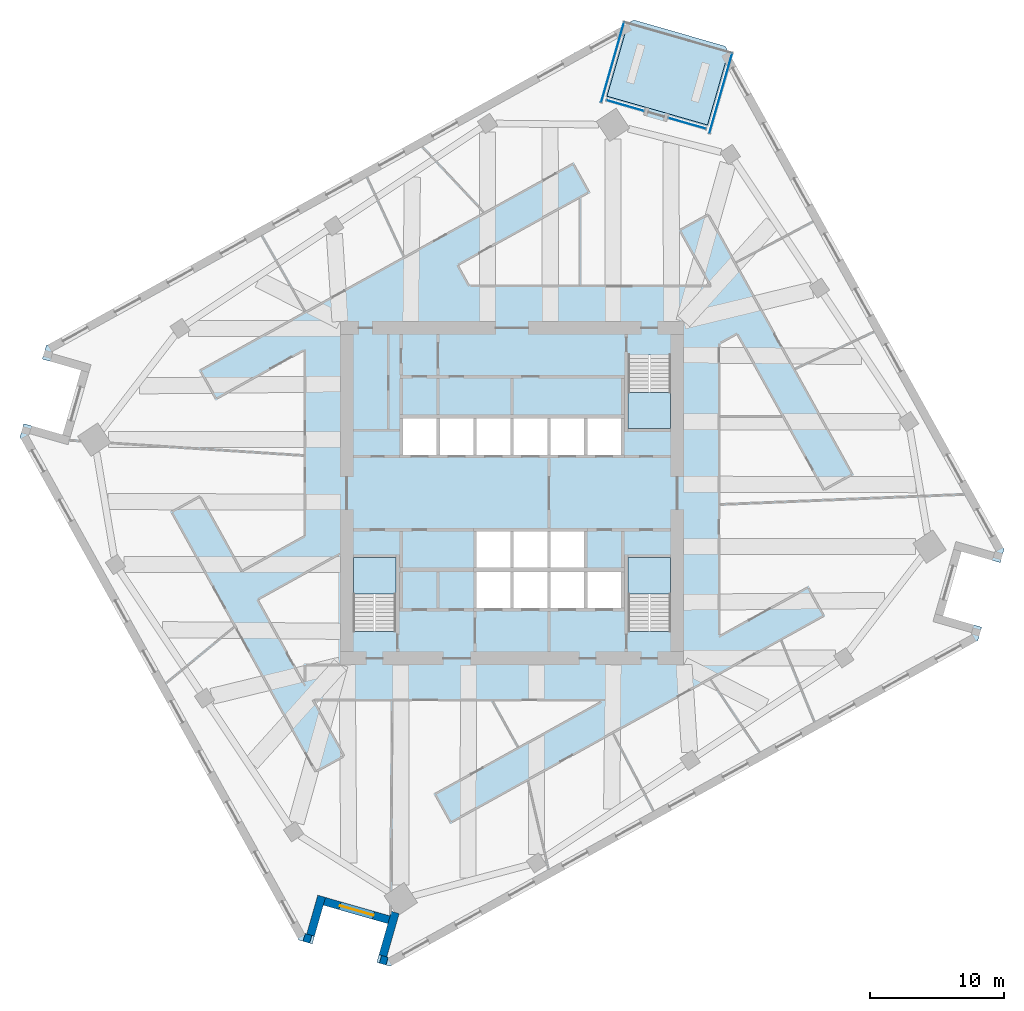
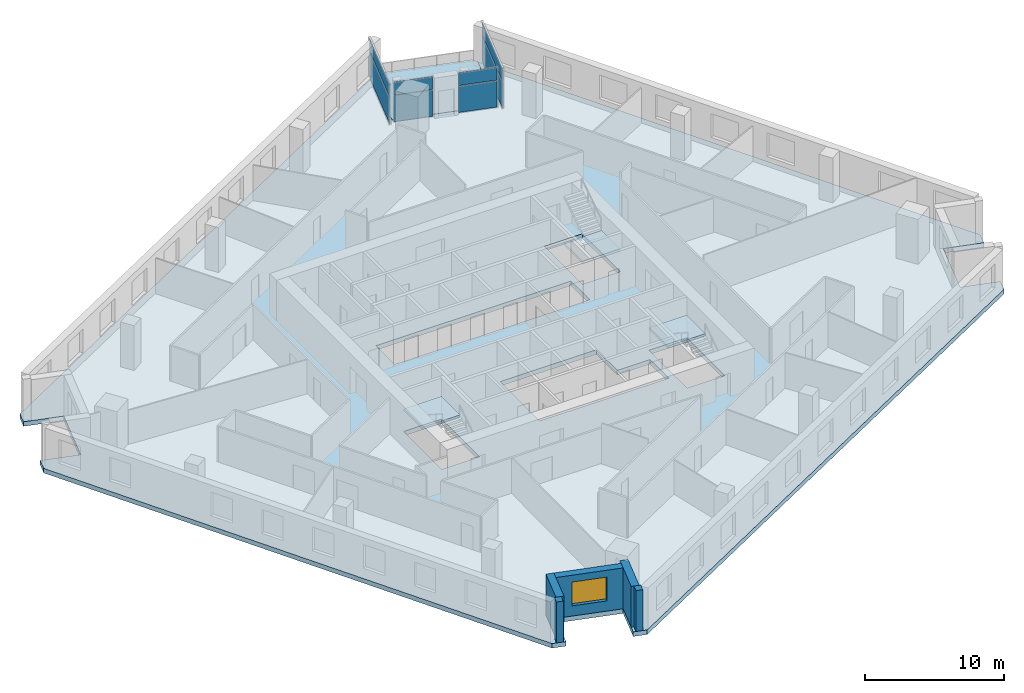
# One storey, part 4 of 12: 8 plates, 5 slabs, 5 walls, 1 window, 1 opening, 7 elements without a shape of their own.
"""IFC4 building model written with IfcOpenShell, lengths in metres."""

from ifc_helpers import new_model, si_unit, direction, frame, frame_2d, origin, origin_2d, place, context, subcontext, project, spatial, polyline, rectangle, outline, extrude, material, layer, layer_set, type_object, element, fill, aggregate, save


model = new_model("IFC4")

# Units and contexts
model_context = context("Model", 3, precision=1e-05, world=origin(), true_north=direction((0.0, 1.0)))
body_context = subcontext(model_context, "Body", "Model", "MODEL_VIEW")
ifc_project = project(units=[si_unit("LENGTHUNIT", "METRE"), si_unit("AREAUNIT", "SQUARE_METRE"), si_unit("VOLUMEUNIT", "CUBIC_METRE"), si_unit("PLANEANGLEUNIT", "RADIAN"), si_unit("MASSUNIT", "GRAM", prefix="KILO")], contexts=[model_context])

# Site, building, storey
site_placement = place(None, origin())
site = spatial("IfcSite", under=ifc_project, at=site_placement, CompositionType="ELEMENT")
building_placement = place(site_placement, origin())
building = spatial("IfcBuilding", under=site, at=building_placement, Name="Dilmun Exchange Tower", CompositionType="ELEMENT")
storey_placement = place(building_placement, frame((0.0, 0.0, 139.699951171875)))
storey = spatial("IfcBuildingStorey", under=building, at=storey_placement, Name="L32", CompositionType="ELEMENT", Elevation=139.699951171875)

# Stair, slab
ifc_material_1 = material(Name="Concrete C40/50", Category="concrete")
stair_type = type_object("IfcStairType", Name="Exit stair 1500 half-turn", PredefinedType="HALF_TURN_STAIR", material=ifc_material_1)
stair_1_placement = place(storey_placement, origin())
stair_1 = element("IfcStair", 1, at=stair_1_placement, inside=storey, type_object=stair_type, Name="L32 Protected exit stair ST1", PredefinedType="HALF_TURN_STAIR")
ifc_layer_1 = layer(ifc_material_1, 0.199951171875)
ifc_layer_set_1 = layer_set([ifc_layer_1], Name="Concrete C40/50")
slab_type_1 = type_object("IfcSlabType", Name="Exit stair landing 200", PredefinedType="LANDING", material=ifc_layer_set_1)
slab_1_placement = place(storey_placement, frame((0.0, 0.0, 1.800048828125)))
slab_1 = element("IfcSlab", 2, at=slab_1_placement, type_object=slab_type_1, Name="ST1 landing 1", PredefinedType="LANDING", context=body_context, shape_type="SweptSolid", body=[
    extrude(outline(polyline([(8.64990234375, 7.5), (8.64990234375, 4.800048828125), (11.800048828125, 4.800048828125), (11.800048828125, 7.5), (8.64990234375, 7.5)])), origin(), (0.0, 0.0, 1.0), 0.199951171875),
])
aggregate(stair_1, [slab_1])

stair_2_placement = place(storey_placement, origin())
stair_2 = element("IfcStair", 3, at=stair_2_placement, inside=storey, type_object=stair_type, Name="L32 Protected exit stair ST2", PredefinedType="HALF_TURN_STAIR")
slab_2_placement = place(storey_placement, frame((0.0, 0.0, 1.800048828125)))
slab_2 = element("IfcSlab", 4, at=slab_2_placement, type_object=slab_type_1, Name="ST2 landing 1", PredefinedType="LANDING", context=body_context, shape_type="SweptSolid", body=[
    extrude(outline(polyline([(-8.64990234375, -7.5), (-8.64990234375, -4.800048828125), (-11.800048828125, -4.800048828125), (-11.800048828125, -7.5), (-8.64990234375, -7.5)])), origin(), (0.0, 0.0, 1.0), 0.199951171875),
])
aggregate(stair_2, [slab_2])

stair_3_placement = place(storey_placement, origin())
stair_3 = element("IfcStair", 5, at=stair_3_placement, inside=storey, type_object=stair_type, Name="L32 Protected exit stair ST3", PredefinedType="HALF_TURN_STAIR")
slab_3_placement = place(storey_placement, frame((0.0, 0.0, 1.800048828125)))
slab_3 = element("IfcSlab", 6, at=slab_3_placement, type_object=slab_type_1, Name="ST3 landing 1", PredefinedType="LANDING", context=body_context, shape_type="SweptSolid", body=[
    extrude(outline(polyline([(11.800048828125, -7.5), (11.800048828125, -4.800048828125), (8.64990234375, -4.800048828125), (8.64990234375, -7.5), (11.800048828125, -7.5)])), origin(), (0.0, 0.0, 1.0), 0.199951171875),
])
aggregate(stair_3, [slab_3])

# Curtain wall, plates
ifc_material_2 = material(Name="Anodised aluminium and clear glass", Category="aluminium")
curtain_wall_type = type_object("IfcCurtainWallType", Name="Garden corner glazing", PredefinedType="NOTDEFINED", material=ifc_material_2)
curtain_wall_1_placement = place(storey_placement, origin())
curtain_wall_1 = element("IfcCurtainWall", 7, at=curtain_wall_1_placement, inside=storey, type_object=curtain_wall_type, Name="Garden corner glazing run GC1.1", PredefinedType="NOTDEFINED")
ifc_material_3 = material(Name="Clear glass", Category="glass")
ifc_layer_2 = layer(ifc_material_3, 0.028076171875)
ifc_layer_set_2 = layer_set([ifc_layer_2], Name="Clear glass")
plate_type = type_object("IfcPlateType", Name="Garden corner glazing glass panel 28", PredefinedType="CURTAIN_PANEL", material=ifc_layer_set_2)
plate_1_placement = place(storey_placement, frame((15.533447265625, 29.739013671875, 0.06005859375), z_axis=(0.0, 0.0, 1.0), x_axis=(-0.275632327054, -0.961263137899, 0.0)))
plate_1 = element("IfcPlate", 8, at=plate_1_placement, type_object=plate_type, Name="GC1.1 panel 1.1", PredefinedType="CURTAIN_PANEL", context=body_context, shape_type="SweptSolid", body=[
    extrude(rectangle(XDim=6.12646484375, YDim=0.028076171875, at=origin_2d()), origin(), (0.0, 0.0, 1.0), 2.31005859375),
])
plate_2_placement = place(storey_placement, frame((15.533447265625, 29.739013671875, 2.43017578125), z_axis=(0.0, 0.0, 1.0), x_axis=(-0.275632327054, -0.961263137899, 0.0)))
plate_2 = element("IfcPlate", 9, at=plate_2_placement, type_object=plate_type, Name="GC1.1 panel 1.2", PredefinedType="CURTAIN_PANEL", context=body_context, shape_type="SweptSolid", body=[
    extrude(rectangle(XDim=6.12646484375, YDim=0.028076171875, at=origin_2d()), origin(), (0.0, 0.0, 1.0), 1.110107421875),
])
aggregate(curtain_wall_1, [plate_1, plate_2])

curtain_wall_2_placement = place(storey_placement, origin())
curtain_wall_2 = element("IfcCurtainWall", 10, at=curtain_wall_2_placement, inside=storey, type_object=curtain_wall_type, Name="Garden corner glazing run GC2.1", PredefinedType="NOTDEFINED")
plate_3_placement = place(storey_placement, frame((13.0302734375, 27.519775390625, 0.06005859375), z_axis=(0.0, 0.0, 1.0), x_axis=(-0.96125332038, 0.275666563186, 0.0)))
plate_3 = element("IfcPlate", 11, at=plate_3_placement, type_object=plate_type, Name="GC2.1 panel 1.1", PredefinedType="CURTAIN_PANEL", context=body_context, shape_type="SweptSolid", body=[
    extrude(rectangle(XDim=2.869140625, YDim=0.028076171875, at=origin_2d()), origin(), (0.0, 0.0, 1.0), 2.31005859375),
])
plate_4_placement = place(storey_placement, frame((13.0302734375, 27.519775390625, 2.43017578125), z_axis=(0.0, 0.0, 1.0), x_axis=(-0.96125332038, 0.275666563186, 0.0)))
plate_4 = element("IfcPlate", 12, at=plate_4_placement, type_object=plate_type, Name="GC2.1 panel 1.2", PredefinedType="CURTAIN_PANEL", context=body_context, shape_type="SweptSolid", body=[
    extrude(rectangle(XDim=2.869140625, YDim=0.028076171875, at=origin_2d()), origin(), (0.0, 0.0, 1.0), 1.110107421875),
])
aggregate(curtain_wall_2, [plate_3, plate_4])

curtain_wall_3_placement = place(storey_placement, origin())
curtain_wall_3 = element("IfcCurtainWall", 13, at=curtain_wall_3_placement, inside=storey, type_object=curtain_wall_type, Name="Garden corner glazing run GC2.3", PredefinedType="NOTDEFINED")
plate_5_placement = place(storey_placement, frame((8.4267578125, 28.83984375, 0.06005859375), z_axis=(0.0, 0.0, 1.0), x_axis=(-0.961262184967, 0.275635650366, 0.0)))
plate_5 = element("IfcPlate", 14, at=plate_5_placement, type_object=plate_type, Name="GC2.3 panel 1.1", PredefinedType="CURTAIN_PANEL", context=body_context, shape_type="SweptSolid", body=[
    extrude(rectangle(XDim=2.869140625, YDim=0.028076171875, at=origin_2d()), origin(), (0.0, 0.0, 1.0), 2.31005859375),
])
plate_6_placement = place(storey_placement, frame((8.4267578125, 28.83984375, 2.43017578125), z_axis=(0.0, 0.0, 1.0), x_axis=(-0.961262184967, 0.275635650366, 0.0)))
plate_6 = element("IfcPlate", 15, at=plate_6_placement, type_object=plate_type, Name="GC2.3 panel 1.2", PredefinedType="CURTAIN_PANEL", context=body_context, shape_type="SweptSolid", body=[
    extrude(rectangle(XDim=2.869140625, YDim=0.028076171875, at=origin_2d()), origin(), (0.0, 0.0, 1.0), 1.110107421875),
])
aggregate(curtain_wall_3, [plate_5, plate_6])

curtain_wall_4_placement = place(storey_placement, origin())
curtain_wall_4 = element("IfcCurtainWall", 16, at=curtain_wall_4_placement, inside=storey, type_object=curtain_wall_type, Name="Garden corner glazing run GC3.1", PredefinedType="NOTDEFINED")
plate_7_placement = place(storey_placement, frame((7.47998046875, 32.04833984375, 0.06005859375), z_axis=(0.0, 0.0, 1.0), x_axis=(0.275628085354, 0.961264354152, 0.0)))
plate_7 = element("IfcPlate", 17, at=plate_7_placement, type_object=plate_type, Name="GC3.1 panel 1.1", PredefinedType="CURTAIN_PANEL", context=body_context, shape_type="SweptSolid", body=[
    extrude(rectangle(XDim=6.12646484375, YDim=0.028076171875, at=origin_2d()), origin(), (0.0, 0.0, 1.0), 2.31005859375),
])
plate_8_placement = place(storey_placement, frame((7.47998046875, 32.04833984375, 2.43017578125), z_axis=(0.0, 0.0, 1.0), x_axis=(0.275628085354, 0.961264354152, 0.0)))
plate_8 = element("IfcPlate", 18, at=plate_8_placement, type_object=plate_type, Name="GC3.1 panel 1.2", PredefinedType="CURTAIN_PANEL", context=body_context, shape_type="SweptSolid", body=[
    extrude(rectangle(XDim=6.12646484375, YDim=0.028076171875, at=origin_2d()), origin(), (0.0, 0.0, 1.0), 1.110107421875),
])
aggregate(curtain_wall_4, [plate_7, plate_8])

# Slabs
ifc_layer_3 = layer(ifc_material_1, 0.39990234375)
ifc_layer_set_3 = layer_set([ifc_layer_3], Name="Concrete C40/50")
slab_type_2 = type_object("IfcSlabType", Name="RC floor slab 400", PredefinedType="FLOOR", material=ifc_layer_set_3)
slab_4_placement = place(storey_placement, frame((0.0, 0.0, -0.39990234375)))
element("IfcSlab", 19, at=slab_4_placement, inside=storey, type_object=slab_type_2, Name="Floor slab", PredefinedType="FLOOR", context=body_context, shape_type="SweptSolid", body=[
    extrude(outline(polyline([(36.328125, -5.16796875), (33.4443359375, -4.341064453125), (32.066162109375, -9.1474609375), (34.949951171875, -9.974365234375), (34.66455078125, -10.9697265625), (-9.06640625, -35.210205078125), (-10.06201171875, -34.9248046875), (-9.235107421875, -32.041015625), (-14.041259765625, -30.662841796875), (-14.8681640625, -33.546630859375), (-15.86376953125, -33.26123046875), (-36.613525390625, 4.172607421875), (-36.328125, 5.16796875), (-33.4443359375, 4.341064453125), (-32.066162109375, 9.1474609375), (-34.949951171875, 9.974365234375), (-34.66455078125, 10.9697265625), (8.629150390625, 34.9677734375), (7.07275390625, 29.5400390625), (14.5498046875, 27.39599609375), (16.106201171875, 32.82373046875), (36.613525390625, -4.172607421875), (36.328125, -5.16796875)]), holes=[polyline([(-8.64990234375, -4.800048828125), (-11.800048828125, -4.800048828125), (-11.800048828125, -10.294921875), (-8.64990234375, -10.294921875), (-8.64990234375, -4.800048828125)]), polyline([(11.800048828125, -4.800048828125), (8.64990234375, -4.800048828125), (8.64990234375, -10.294921875), (11.800048828125, -10.294921875), (11.800048828125, -4.800048828125)]), polyline([(5.375, -2.85009765625), (-2.625, -2.85009765625), (-2.625, -8.550048828125), (8.125, -8.550048828125), (8.125, -5.85009765625), (5.375, -5.85009765625), (5.375, -2.85009765625)]), polyline([(8.125, 2.85009765625), (8.125, 5.550048828125), (-8.125, 5.550048828125), (-8.125, 2.85009765625), (8.125, 2.85009765625)]), polyline([(8.64990234375, 10.294921875), (8.64990234375, 4.800048828125), (11.800048828125, 4.800048828125), (11.800048828125, 10.294921875), (8.64990234375, 10.294921875)])]), origin(), (0.0, 0.0, 1.0), 0.39990234375),
])
ifc_layer_4 = layer(ifc_material_1, 0.300048828125)
ifc_layer_set_4 = layer_set([ifc_layer_4], Name="Concrete C40/50")
slab_type_3 = type_object("IfcSlabType", Name="RC garden terrace slab 300", PredefinedType="FLOOR", material=ifc_layer_set_4)
slab_5_placement = place(storey_placement, frame((0.0, 0.0, -0.300048828125)))
element("IfcSlab", 20, at=slab_5_placement, inside=storey, type_object=slab_type_3, Name="Garden terrace slab", PredefinedType="FLOOR", context=body_context, shape_type="SweptSolid", body=[
    extrude(outline(polyline([(7.07275390625, 29.5400390625), (8.629150390625, 34.9677734375), (9.06640625, 35.210205078125), (15.86376953125, 33.26123046875), (16.106201171875, 32.82373046875), (14.5498046875, 27.39599609375), (7.07275390625, 29.5400390625)])), origin(), (0.0, 0.0, 1.0), 0.300048828125),
])

# Walls
ifc_material_4 = material(Name="Precast concrete C50/60", Category="concrete")
ifc_layer_5 = layer(ifc_material_4, 0.60009765625)
ifc_layer_set_5 = layer_set([ifc_layer_5], Name="Precast concrete C50/60")
wall_type = type_object("IfcWallType", Name="Precast stone-clad wall 600", PredefinedType="STANDARD", material=ifc_layer_set_5)
wall_1_placement = place(storey_placement, frame((-15.46923828125, -33.062255859375, 0.0), z_axis=(0.0, 0.0, 1.0), x_axis=(0.961289332823, -0.275540956303, 0.0)))
element("IfcWall", 21, at=wall_1_placement, inside=storey, type_object=wall_type, Name="Facade wall L32-10", PredefinedType="STANDARD", context=body_context, shape_type="SweptSolid", body=[
    extrude(rectangle(XDim=0.51123046875, YDim=0.60009765625, at=frame_2d((0.255615234375, 0.0))), origin(), (0.0, 0.0, 1.0), 3.60009765625),
])
wall_2_placement = place(storey_placement, frame((-14.9912109375, -32.88720703125, 0.0), z_axis=(0.0, 0.0, 1.0), x_axis=(0.275634611374, 0.96126248289, 0.0)))
element("IfcWall", 22, at=wall_2_placement, inside=storey, type_object=wall_type, Name="Facade wall L32-11", PredefinedType="STANDARD", context=body_context, shape_type="SweptSolid", body=[
    extrude(rectangle(XDim=3.0, YDim=0.60009765625, at=frame_2d((1.5, 0.0))), origin(), (0.0, 0.0, 1.0), 3.60009765625),
])

# Wall, opening, window
wall_3_placement = place(storey_placement, frame((-13.95849609375, -30.37451171875, 0.0), z_axis=(0.0, 0.0, 1.0), x_axis=(0.961260009649, -0.275643236537, 0.0)))
wall_3 = element("IfcWall", 23, at=wall_3_placement, inside=storey, type_object=wall_type, Name="Facade wall L32-12", PredefinedType="STANDARD", context=body_context, shape_type="SweptSolid", body=[
    extrude(rectangle(XDim=4.999755859375, YDim=0.60009765625, at=frame_2d((2.5, 0.0))), origin(), (0.0, 0.0, 1.0), 3.60009765625),
])
opening_placement = place(wall_3_placement, frame((1.199951171875, 0.0, 0.89990234375)))
opening = element("IfcOpeningElement", 24, at=opening_placement, cuts=wall_3, Name="Opening W260-210", PredefinedType="OPENING", context=body_context, shape_type="SweptSolid", body=[
    extrude(rectangle(XDim=2.60009765625, YDim=2.10009765625, at=frame_2d((1.300048828125, 1.050048828125))), frame((0.0, 0.31005859375, 0.0), z_axis=(0.0, -1.0, 0.0), x_axis=(1.0, 0.0, 0.0)), (0.0, 0.0, 1.0), 0.6201171875),
])
ifc_material_5 = material(Name="Clear low-emissivity glass in aluminium frame", Category="aluminium")
window_type = type_object("IfcWindowType", Name="Punched window 2600 x 2100", PartitioningType="DOUBLE_PANEL_VERTICAL", PredefinedType="WINDOW", material=ifc_material_5)
window_placement = place(opening_placement, origin())
window = element("IfcWindow", 25, at=window_placement, inside=storey, type_object=window_type, Name="Window 13.1", OverallHeight=2.10009765625, OverallWidth=2.60009765625, PartitioningType="SINGLE_PANEL", PredefinedType="WINDOW", context=body_context, shape_type="SweptSolid", body=[
    extrude(rectangle(XDim=2.60009765625, YDim=2.10009765625, at=frame_2d((1.300048828125, 1.050048828125))), frame((0.0, 0.030029296875, 0.0), z_axis=(0.0, -1.0, 0.0), x_axis=(1.0, 0.0, 0.0)), (0.0, 0.0, 1.0), 0.06005859375),
])
fill(opening, window)

# Walls
wall_4_placement = place(storey_placement, frame((-8.68310546875, -31.205078125, 0.0), z_axis=(0.0, 0.0, 1.0), x_axis=(-0.275672311862, -0.961251671766, 0.0)))
element("IfcWall", 26, at=wall_4_placement, inside=storey, type_object=wall_type, Name="Facade wall L32-13", PredefinedType="STANDARD", context=body_context, shape_type="SweptSolid", body=[
    extrude(rectangle(XDim=3.355712890625, YDim=0.60009765625, at=frame_2d((1.677734375, 0.0))), origin(), (0.0, 0.0, 1.0), 3.60009765625),
])
wall_5_placement = place(storey_placement, frame((-9.787109375, -34.69140625, 0.0), z_axis=(0.0, 0.0, 1.0), x_axis=(0.96119910246, -0.275855551749, 0.0)))
element("IfcWall", 27, at=wall_5_placement, inside=storey, type_object=wall_type, Name="Facade wall L32-14", PredefinedType="STANDARD", context=body_context, shape_type="SweptSolid", body=[
    extrude(rectangle(XDim=0.511474609375, YDim=0.60009765625, at=frame_2d((0.255859375, 0.0))), origin(), (0.0, 0.0, 1.0), 3.60009765625),
])

save(model, "model.ifc")
